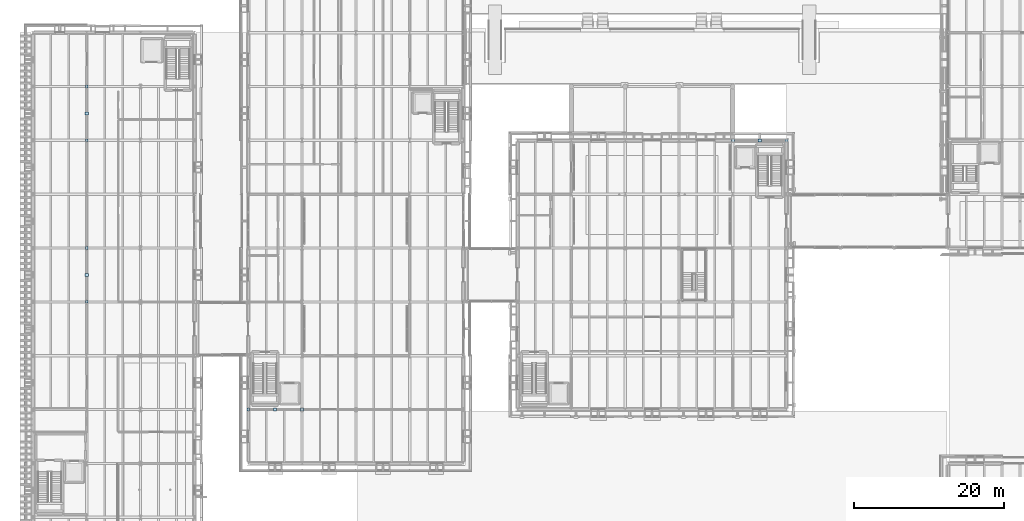
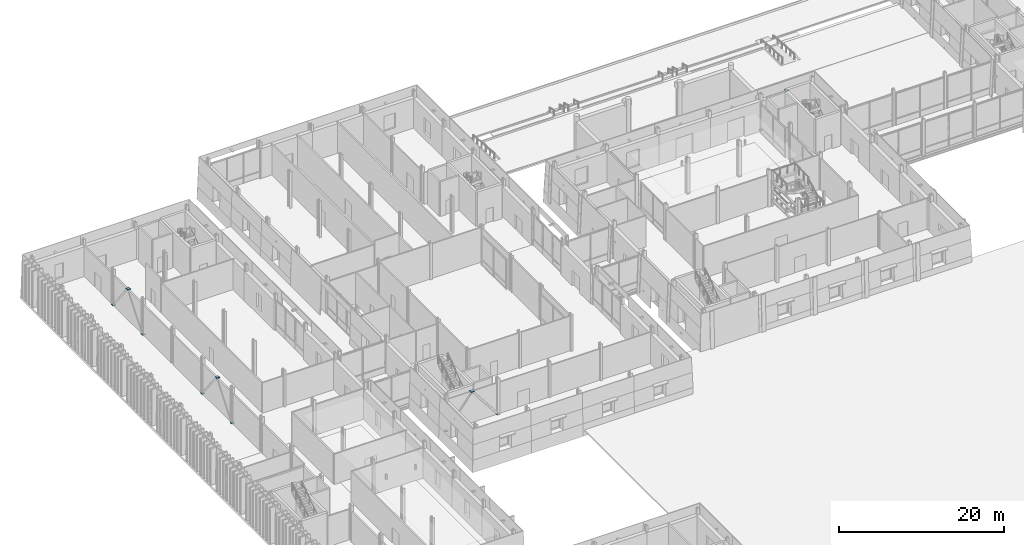
# One storey, part 65 of 120: 12 plates.
"""IFC4 building model written with IfcOpenShell, lengths in metres."""

from ifc_helpers import new_model, si_unit, direction, frame, origin, origin_2d, place, context, subcontext, project, spatial, rectangle, extrude, material, layer, layer_set, type_object, element, save


model = new_model("IFC4")

# Units and contexts
model_context = context("Model", 3, precision=1e-05, world=origin(), true_north=direction((0.0, 1.0)))
body_context = subcontext(model_context, "Body", "Model", "MODEL_VIEW")
ifc_project = project(units=[si_unit("LENGTHUNIT", "METRE"), si_unit("AREAUNIT", "SQUARE_METRE"), si_unit("VOLUMEUNIT", "CUBIC_METRE"), si_unit("PLANEANGLEUNIT", "RADIAN"), si_unit("MASSUNIT", "GRAM", prefix="KILO")], contexts=[model_context])

# Site, building, storey
site_placement = place(None, origin())
site = spatial("IfcSite", under=ifc_project, at=site_placement, CompositionType="ELEMENT")
building_placement = place(site_placement, origin())
building = spatial("IfcBuilding", under=site, at=building_placement, Name="Narikvali Park Central Library", CompositionType="ELEMENT")
storey_placement = place(building_placement, origin())
storey = spatial("IfcBuildingStorey", under=building, at=storey_placement, Name="L00", CompositionType="ELEMENT", Elevation=0.0)

# Plates
ifc_material = material(Name="Steel S355", Category="steel")
ifc_layer_1 = layer(ifc_material, 0.013916015625, Name="Steel S355")
ifc_layer_set_1 = layer_set([ifc_layer_1], Name="Steel S355")
plate_type_1 = type_object("IfcPlateType", Name="Steel Hollow End Cap Plate 14", PredefinedType="SHEET", material=ifc_layer_set_1)
for number, where, z_axis, x_axis, name in (
    (1, (7.199951171875, 72.012451171875, 0.0048828125), (0.0, 0.0, 1.0), (1.0, 0.0, 0.0), "Hollow Section Steel End Cap BR-ECAP-1-L00-A0"),
    (2, (7.199951171875, 79.1875, 0.0048828125), (0.0, 0.0, 1.0), (1.0, 0.0, 0.0), "Hollow Section Steel End Cap BR-ECAP-1-L00-B0"),
    (3, (7.199951171875, 93.612548828125, 0.0048828125), (0.0, 0.0, 1.0), (1.0, 0.0, 0.0), "Hollow Section Steel End Cap BR-ECAP-2-L00-A0"),
    (4, (7.199951171875, 100.78759765625, 0.0048828125), (0.0, 0.0, 1.0), (1.0, 0.0, 0.0), "Hollow Section Steel End Cap BR-ECAP-2-L00-B0"),
    (5, (28.8125, 57.60009765625, 0.0048828125), (0.0, 0.0, 1.0), (1.0, 0.0, 0.0), "Hollow Section Steel End Cap BR-ECAP-3-L00-A0"),
    (6, (35.987548828125, 57.60009765625, 0.0048828125), (0.0, 0.0, 1.0), (1.0, 0.0, 0.0), "Hollow Section Steel End Cap BR-ECAP-3-L00-B0"),
    (7, (93.612548828125, 93.60009765625, 0.0048828125), (0.0, 0.0, 1.0), (1.0, 0.0, 0.0), "Hollow Section Steel End Cap BR-ECAP-4-L00-A0"),
    (8, (100.78759765625, 93.60009765625, 0.0048828125), (0.0, 0.0, 1.0), (1.0, 0.0, 0.0), "Hollow Section Steel End Cap BR-ECAP-4-L00-B0"),
):
    element("IfcPlate", number, at=place(storey_placement, frame(where, z_axis=z_axis, x_axis=x_axis)), inside=storey, type_object=plate_type_1, Name=name, PredefinedType="SHEET", context=body_context, shape_type="SweptSolid", body=[
        extrude(rectangle(XDim=0.3798828125, YDim=0.3798828125, at=origin_2d()), origin(), (0.0, 0.0, 1.0), 0.013916015625),
    ])
ifc_layer_2 = layer(ifc_material, 0.0380859375, Name="Steel S355")
ifc_layer_set_2 = layer_set([ifc_layer_2], Name="Steel S355")
plate_type_2 = type_object("IfcPlateType", Name="Truss Splice Gusset Plate 38", PredefinedType="SHEET", material=ifc_layer_set_2)
for number, where, z_axis, x_axis, name in (
    (9, (7.199951171875, 75.60009765625, 4.56103515625), (0.0, 0.0, 1.0), (1.0, 0.0, 0.0), "V5 L00 Chevron Apex Gusset Cap Plate"),
    (10, (7.199951171875, 97.199951171875, 4.56103515625), (0.0, 0.0, 1.0), (1.0, 0.0, 0.0), "V5 L00 Chevron Apex Gusset Cap Plate"),
    (11, (32.39990234375, 57.60009765625, 4.5810546875), (0.0, 0.0, 1.0), (1.0, 0.0, 0.0), "V4 L00 Chevron Apex Gusset Cap Plate"),
    (12, (97.199951171875, 93.60009765625, 4.5810546875), (0.0, 0.0, 1.0), (1.0, 0.0, 0.0), "V1 L00 Chevron Apex Gusset Cap Plate"),
):
    element("IfcPlate", number, at=place(storey_placement, frame(where, z_axis=z_axis, x_axis=x_axis)), inside=storey, type_object=plate_type_2, Name=name, PredefinedType="SHEET", context=body_context, shape_type="SweptSolid", body=[
        extrude(rectangle(XDim=0.419921875, YDim=0.419921875, at=origin_2d()), origin(), (0.0, 0.0, 1.0), 0.0380859375),
    ])

save(model, "model.ifc")
